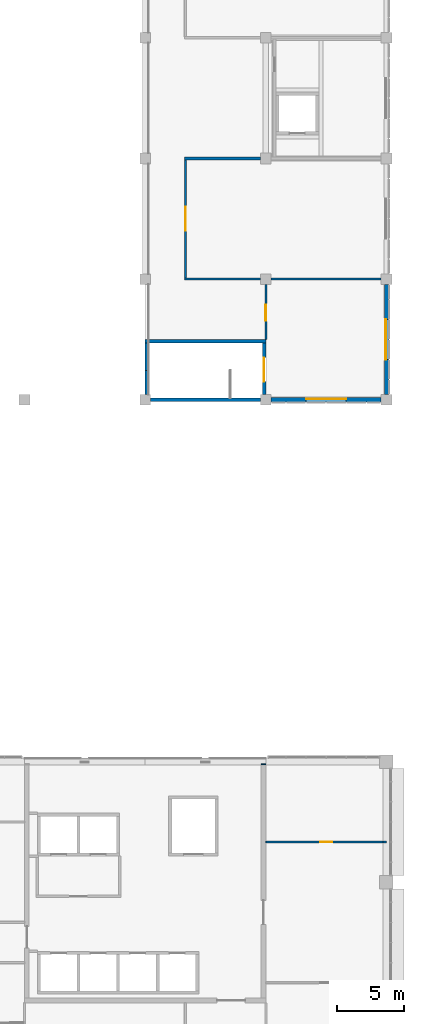
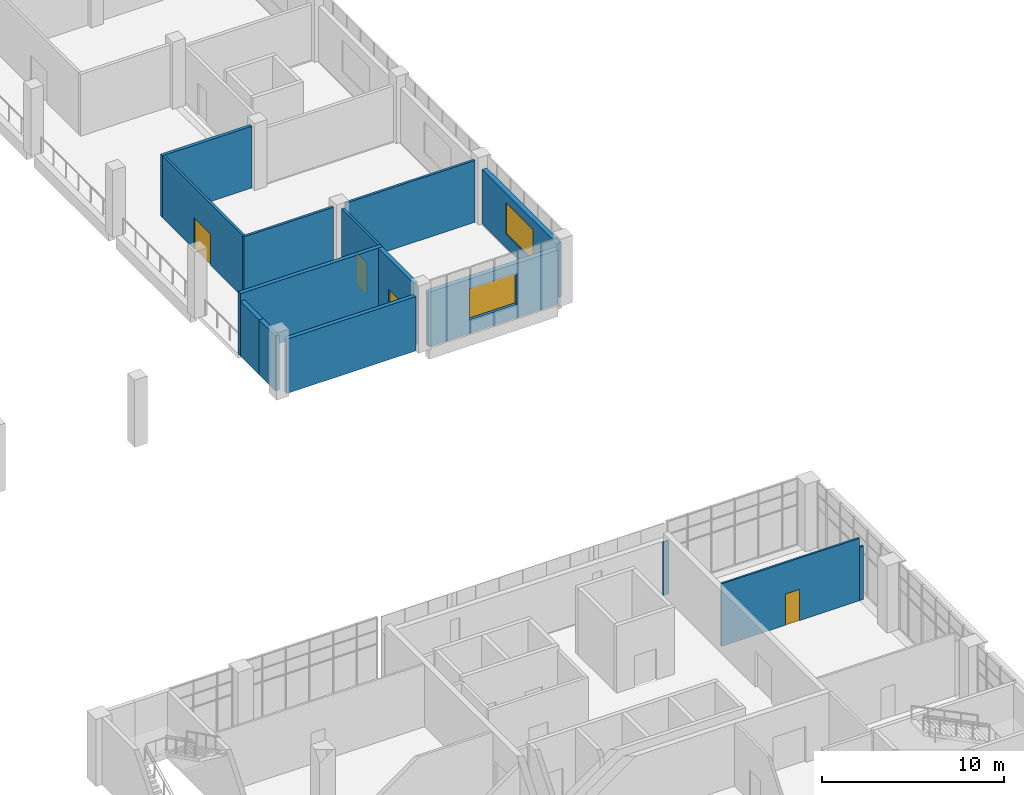
# One storey, part 66 of 88: 15 walls, 4 doors, 2 windows, 6 openings.
"""IFC4 building model written with IfcOpenShell, lengths in metres."""

from ifc_helpers import new_model, si_unit, direction, frame, frame_2d, origin, place, context, subcontext, project, spatial, rectangle, extrude, material, layer, layer_set, type_object, element, fill, save


model = new_model("IFC4")

# Units and contexts
model_context = context("Model", 3, precision=1e-05, world=origin(), true_north=direction((0.0, 1.0)))
body_context = subcontext(model_context, "Body", "Model", "MODEL_VIEW")
ifc_project = project(units=[si_unit("LENGTHUNIT", "METRE"), si_unit("AREAUNIT", "SQUARE_METRE"), si_unit("VOLUMEUNIT", "CUBIC_METRE"), si_unit("PLANEANGLEUNIT", "RADIAN"), si_unit("MASSUNIT", "GRAM", prefix="KILO")], contexts=[model_context])

# Site, building, storey
site_placement = place(None, origin())
site = spatial("IfcSite", under=ifc_project, at=site_placement, CompositionType="ELEMENT")
building_placement = place(site_placement, origin())
building = spatial("IfcBuilding", under=site, at=building_placement, Name="Guidao Yard Department Store", CompositionType="ELEMENT")
storey_placement = place(building_placement, frame((0.0, 0.0, 6.0)))
storey = spatial("IfcBuildingStorey", under=building, at=storey_placement, Name="L01", CompositionType="ELEMENT", Elevation=6.0)

# Wall
ifc_material_1 = material(Name="Concrete block MU10", Category="concrete")
ifc_layer_1 = layer(ifc_material_1, 0.199951171875)
ifc_layer_set_1 = layer_set([ifc_layer_1], Name="Fire Wall F3 200 mm blockwork EI 120")
wall_type_1 = type_object("IfcWallType", Name="Fire Wall F3 200 mm blockwork EI 120", PredefinedType="PARTITIONING", material=ifc_layer_set_1)
wall_1_placement = place(storey_placement, frame((155.925048828125, 72.0, 0.0), z_axis=(0.0, 0.0, 1.0), x_axis=(1.0, 0.0, 0.0)))
element("IfcWall", 1, at=wall_1_placement, inside=storey, type_object=wall_type_1, Name="Wall W-L01-3007", PredefinedType="PARTITIONING", context=body_context, shape_type="SweptSolid", body=[
    extrude(rectangle(XDim=5.675048828125, YDim=0.199951171875, at=frame_2d((2.83740234375, 0.0))), origin(), (0.0, 0.0, 1.0), 4.14990234375),
])

# Wall, opening, window
ifc_material_2 = material(Name="Concrete C30", Category="concrete")
ifc_layer_2 = layer(ifc_material_2, 0.300048828125)
ifc_layer_set_2 = layer_set([ifc_layer_2], Name="Food hall wall 300 C30")
wall_type_2 = type_object("IfcWallType", Name="Food hall wall 300 C30", PredefinedType="SOLIDWALL", material=ifc_layer_set_2)
wall_2_placement = place(storey_placement, frame((170.60009765625, 54.0, 0.0), z_axis=(0.0, 0.0, 1.0), x_axis=(-1.0, 0.0, 0.0)))
wall_2 = element("IfcWall", 2, at=wall_2_placement, inside=storey, type_object=wall_type_2, Name="Food hall wall", PredefinedType="SOLIDWALL", context=body_context, shape_type="SweptSolid", body=[
    extrude(rectangle(XDim=8.2001953125, YDim=0.300048828125, at=frame_2d((4.10009765625, 0.0))), origin(), (0.0, 0.0, 1.0), 3.64990234375),
])
opening_1_placement = place(wall_2_placement, frame((2.60009765625, 0.0, 0.89990234375)))
opening_1 = element("IfcOpeningElement", 3, at=opening_1_placement, cuts=wall_2, Name="Opening WN-L01-E24", PredefinedType="OPENING", context=body_context, shape_type="SweptSolid", body=[
    extrude(rectangle(XDim=3.0, YDim=2.10009765625, at=frame_2d((1.5, 1.050048828125))), frame((0.0, 0.159912109375, 0.0), z_axis=(0.0, -1.0, 0.0), x_axis=(1.0, 0.0, 0.0)), (0.0, 0.0, 1.0), 0.320068359375),
])
ifc_material_3 = material(Name="Laminated glass in aluminium frame", Category="aluminium")
window_type = type_object("IfcWindowType", Name="Punched window PW2 3000 x 2100 fixed", PartitioningType="SINGLE_PANEL", PredefinedType="WINDOW", material=ifc_material_3)
window_1_placement = place(opening_1_placement, origin())
window_1 = element("IfcWindow", 4, at=window_1_placement, inside=storey, type_object=window_type, Name="Punched window", OverallHeight=2.10009765625, OverallWidth=3.0, PartitioningType="SINGLE_PANEL", PredefinedType="WINDOW", context=body_context, shape_type="SweptSolid", body=[
    extrude(rectangle(XDim=3.0, YDim=2.10009765625, at=frame_2d((1.5, 1.050048828125))), frame((0.0, -0.030029296875, 0.0), z_axis=(0.0, -1.0, 0.0), x_axis=(1.0, 0.0, 0.0)), (0.0, 0.0, 1.0), 0.06005859375),
])
fill(opening_1, window_1)

wall_3_placement = place(storey_placement, frame((171.0, 62.60009765625, 0.0), z_axis=(0.0, 0.0, 1.0), x_axis=(0.0, -1.0, 0.0)))
wall_3 = element("IfcWall", 5, at=wall_3_placement, inside=storey, type_object=wall_type_2, Name="Food hall wall", PredefinedType="SOLIDWALL", context=body_context, shape_type="SweptSolid", body=[
    extrude(rectangle(XDim=8.2001953125, YDim=0.300048828125, at=frame_2d((4.10009765625, 0.0))), origin(), (0.0, 0.0, 1.0), 3.64990234375),
])
opening_2_placement = place(wall_3_placement, frame((2.60009765625, 0.0, 0.89990234375)))
opening_2 = element("IfcOpeningElement", 6, at=opening_2_placement, cuts=wall_3, Name="Opening WN-L01-E32", PredefinedType="OPENING", context=body_context, shape_type="SweptSolid", body=[
    extrude(rectangle(XDim=3.0, YDim=2.10009765625, at=frame_2d((1.5, 1.050048828125))), frame((0.0, 0.159912109375, 0.0), z_axis=(0.0, -1.0, 0.0), x_axis=(1.0, 0.0, 0.0)), (0.0, 0.0, 1.0), 0.320068359375),
])
window_2_placement = place(opening_2_placement, origin())
window_2 = element("IfcWindow", 7, at=window_2_placement, inside=storey, type_object=window_type, Name="Punched window", OverallHeight=2.10009765625, OverallWidth=3.0, PartitioningType="SINGLE_PANEL", PredefinedType="WINDOW", context=body_context, shape_type="SweptSolid", body=[
    extrude(rectangle(XDim=3.0, YDim=2.10009765625, at=frame_2d((1.5, 1.050048828125))), frame((0.0, -0.030029296875, 0.0), z_axis=(0.0, -1.0, 0.0), x_axis=(1.0, 0.0, 0.0)), (0.0, 0.0, 1.0), 0.06005859375),
])
fill(opening_2, window_2)

# Wall, opening, door
ifc_material_4 = material(Name="Gypsum Board")
ifc_layer_3 = layer(ifc_material_4, 0.1201171875)
ifc_layer_set_3 = layer_set([ifc_layer_3], Name="Partition 120 Gypsum Board EI 45")
wall_type_3 = type_object("IfcWallType", Name="Partition 120 Gypsum Board EI 45", PredefinedType="PARTITIONING", material=ifc_layer_set_3)
wall_4_placement = place(storey_placement, frame((162.0, 21.0, 0.0), z_axis=(0.0, 0.0, 1.0), x_axis=(1.0, 0.0, 0.0)))
wall_4 = element("IfcWall", 8, at=wall_4_placement, inside=storey, type_object=wall_type_3, Name="pt.wall.L01.0013", PredefinedType="PARTITIONING", context=body_context, shape_type="SweptSolid", body=[
    extrude(rectangle(XDim=8.75, YDim=0.1201171875, at=frame_2d((4.375, 0.0))), origin(), (0.0, 0.0, 1.0), 4.199951171875),
])
opening_3_placement = place(wall_4_placement, frame((4.050048828125, 0.0, 0.0)))
opening_3 = element("IfcOpeningElement", 9, at=opening_3_placement, cuts=wall_4, Name="Opening L01-417", PredefinedType="OPENING", context=body_context, shape_type="SweptSolid", body=[
    extrude(rectangle(XDim=0.89990234375, YDim=2.10009765625, at=frame_2d((0.449951171875, 1.050048828125))), frame((0.0, 0.070068359375, 0.0), z_axis=(0.0, -1.0, 0.0), x_axis=(1.0, 0.0, 0.0)), (0.0, 0.0, 1.0), 0.14013671875),
])
ifc_material_5 = material(Name="Timber door leaf with Steel Q235 frame", Category="steel")
door_type_1 = type_object("IfcDoorType", Name="Door 900 x 2100 NOT RATED Single Leaf", OperationType="SINGLE_SWING_LEFT", PredefinedType="DOOR", material=ifc_material_5)
door_1_placement = place(opening_3_placement, origin())
door_1 = element("IfcDoor", 10, at=door_1_placement, inside=storey, type_object=door_type_1, Name="Door L01-417", OperationType="SINGLE_SWING_RIGHT", OverallHeight=2.10009765625, OverallWidth=0.89990234375, PredefinedType="DOOR", context=body_context, shape_type="SweptSolid", body=[
    extrude(rectangle(XDim=0.89990234375, YDim=2.10009765625, at=frame_2d((0.449951171875, 1.050048828125))), frame((0.0, 0.02490234375, 0.0), z_axis=(0.0, -1.0, 0.0), x_axis=(1.0, 0.0, 0.0)), (0.0, 0.0, 1.0), 0.050048828125),
])
fill(opening_3, door_1)

# Walls
wall_5_placement = place(storey_placement, frame((170.75, 21.0, 0.0), z_axis=(0.0, 0.0, 1.0), x_axis=(1.0, 0.0, 0.0)))
element("IfcWall", 11, at=wall_5_placement, inside=storey, type_object=wall_type_3, Name="pt.wall.L01.0013a", PredefinedType="PARTITIONING", context=body_context, shape_type="SweptSolid", body=[
    extrude(rectangle(XDim=0.25, YDim=0.1201171875, at=frame_2d((0.125, 0.0))), origin(), (0.0, 0.0, 1.0), 3.60009765625),
])
ifc_material_6 = material(Name="Concrete C50", Category="concrete")
ifc_layer_4 = layer(ifc_material_6, 0.35009765625)
ifc_layer_set_4 = layer_set([ifc_layer_4], Name="Shear Wall 350 Concrete C50")
wall_type_4 = type_object("IfcWallType", Name="Shear Wall 350 Concrete C50", PredefinedType="SHEAR", material=ifc_layer_set_4)
wall_6_placement = place(storey_placement, frame((161.824951171875, 26.75, 0.0), z_axis=(0.0, 0.0, 1.0), x_axis=(0.0, 1.0, 0.0)))
element("IfcWall", 12, at=wall_6_placement, inside=storey, type_object=wall_type_4, Name="pt.wall.L01.0029a", PredefinedType="SHEAR", context=body_context, shape_type="SweptSolid", body=[
    extrude(rectangle(XDim=0.074951171875, YDim=0.35009765625, at=frame_2d((0.03759765625, 0.0))), origin(), (0.0, 0.0, 1.0), 3.60009765625),
])
ifc_material_7 = material(Name="Concrete block MU10", Category="concrete")
ifc_layer_5 = layer(ifc_material_7, 0.14990234375)
ifc_layer_set_5 = layer_set([ifc_layer_5], Name="Stall Front Wall F4 150 mm blockwork EI 60")
wall_type_5 = type_object("IfcWallType", Name="Stall Front Wall F4 150 mm blockwork EI 60", PredefinedType="PARTITIONING", material=ifc_layer_set_5)
wall_7_placement = place(storey_placement, frame((155.925048828125, 63.0, 0.0), z_axis=(0.0, 0.0, 1.0), x_axis=(1.0, 0.0, 0.0)))
element("IfcWall", 13, at=wall_7_placement, inside=storey, type_object=wall_type_5, Name="Wall W-L01-3004", PredefinedType="PARTITIONING", context=body_context, shape_type="SweptSolid", body=[
    extrude(rectangle(XDim=5.675048828125, YDim=0.14990234375, at=frame_2d((2.83740234375, 0.0))), origin(), (0.0, 0.0, 1.0), 4.14990234375),
])

# Wall, opening, door
wall_8_placement = place(storey_placement, frame((156.0, 63.074951171875, 0.0), z_axis=(0.0, 0.0, 1.0), x_axis=(0.0, 1.0, 0.0)))
wall_8 = element("IfcWall", 14, at=wall_8_placement, inside=storey, type_object=wall_type_5, Name="Wall W-L01-3006", PredefinedType="PARTITIONING", context=body_context, shape_type="SweptSolid", body=[
    extrude(rectangle(XDim=8.824951171875, YDim=0.14990234375, at=frame_2d((4.41259765625, 0.0))), origin(), (0.0, 0.0, 1.0), 4.14990234375),
])
opening_4_placement = place(wall_8_placement, frame((5.324951171875, 0.0, 0.0), z_axis=(0.0, 0.0, 1.0), x_axis=(-1.0, 0.0, 0.0)))
opening_4 = element("IfcOpeningElement", 15, at=opening_4_placement, cuts=wall_8, Name="Opening L01-304", PredefinedType="OPENING", context=body_context, shape_type="SweptSolid", body=[
    extrude(rectangle(XDim=1.800048828125, YDim=2.10009765625, at=frame_2d((0.89990234375, 1.050048828125))), frame((0.0, 0.0849609375, 0.0), z_axis=(0.0, -1.0, 0.0), x_axis=(1.0, 0.0, 0.0)), (0.0, 0.0, 1.0), 0.169921875),
])
ifc_material_8 = material(Name="Timber door leaf", Category="wood")
door_type_2 = type_object("IfcDoorType", Name="Door FN2 double 1800 x 2100", OperationType="DOUBLE_DOOR_SINGLE_SWING", PredefinedType="DOOR", material=ifc_material_8)
door_2_placement = place(opening_4_placement, origin())
door_2 = element("IfcDoor", 16, at=door_2_placement, inside=storey, type_object=door_type_2, Name="Door L01-304", OperationType="DOUBLE_DOOR_SINGLE_SWING", OverallHeight=2.10009765625, OverallWidth=1.800048828125, PredefinedType="DOOR", context=body_context, shape_type="SweptSolid", body=[
    extrude(rectangle(XDim=1.800048828125, YDim=2.10009765625, at=frame_2d((0.89990234375, 1.050048828125))), frame((0.0, 0.02490234375, 0.0), z_axis=(0.0, -1.0, 0.0), x_axis=(1.0, 0.0, 0.0)), (0.0, 0.0, 1.0), 0.050048828125),
])
fill(opening_4, door_2)

ifc_material_9 = material(Name="Concrete block MU10", Category="concrete")
ifc_layer_6 = layer(ifc_material_9, 0.14990234375)
ifc_layer_set_6 = layer_set([ifc_layer_6], Name="Wall F2 150 mm blockwork EI 60")
wall_type_6 = type_object("IfcWallType", Name="Wall F2 150 mm blockwork EI 60", PredefinedType="PARTITIONING", material=ifc_layer_set_6)
wall_9_placement = place(storey_placement, frame((162.0, 58.5, 0.0), z_axis=(0.0, 0.0, 1.0), x_axis=(0.0, 1.0, 0.0)))
wall_9 = element("IfcWall", 17, at=wall_9_placement, inside=storey, type_object=wall_type_6, Name="Wall W-L01-3002", PredefinedType="PARTITIONING", context=body_context, shape_type="SweptSolid", body=[
    extrude(rectangle(XDim=4.10009765625, YDim=0.14990234375, at=frame_2d((2.050048828125, 0.0))), origin(), (0.0, 0.0, 1.0), 4.14990234375),
])
opening_5_placement = place(wall_9_placement, frame((1.39990234375, 0.0, 0.0)))
opening_5 = element("IfcOpeningElement", 18, at=opening_5_placement, cuts=wall_9, Name="Opening L01-302", PredefinedType="OPENING", context=body_context, shape_type="SweptSolid", body=[
    extrude(rectangle(XDim=1.199951171875, YDim=2.10009765625, at=frame_2d((0.60009765625, 1.050048828125))), frame((0.0, 0.0849609375, 0.0), z_axis=(0.0, -1.0, 0.0), x_axis=(1.0, 0.0, 0.0)), (0.0, 0.0, 1.0), 0.169921875),
])
ifc_material_10 = material(Name="Steel Q235", Category="steel")
door_type_3 = type_object("IfcDoorType", Name="Door FF2 1200 x 2100 FD60", OperationType="SINGLE_SWING_LEFT", PredefinedType="DOOR", material=ifc_material_10)
door_3_placement = place(opening_5_placement, origin())
door_3 = element("IfcDoor", 19, at=door_3_placement, inside=storey, type_object=door_type_3, Name="Door L01-302", OperationType="SINGLE_SWING_LEFT", OverallHeight=2.10009765625, OverallWidth=1.199951171875, PredefinedType="DOOR", context=body_context, shape_type="SweptSolid", body=[
    extrude(rectangle(XDim=1.199951171875, YDim=2.10009765625, at=frame_2d((0.60009765625, 1.050048828125))), frame((0.0, 0.02490234375, 0.0), z_axis=(0.0, -1.0, 0.0), x_axis=(1.0, 0.0, 0.0)), (0.0, 0.0, 1.0), 0.050048828125),
])
fill(opening_5, door_3)

# Walls
wall_10_placement = place(storey_placement, frame((162.39990234375, 63.0, 0.0), z_axis=(0.0, 0.0, 1.0), x_axis=(1.0, 0.0, 0.0)))
element("IfcWall", 20, at=wall_10_placement, inside=storey, type_object=wall_type_6, Name="Wall W-L01-3005", PredefinedType="PARTITIONING", context=body_context, shape_type="SweptSolid", body=[
    extrude(rectangle(XDim=8.2001953125, YDim=0.14990234375, at=frame_2d((4.10009765625, 0.0))), origin(), (0.0, 0.0, 1.0), 4.14990234375),
])
ifc_material_11 = material(Name="Concrete C40", Category="concrete")
ifc_layer_7 = layer(ifc_material_11, 0.25)
ifc_layer_set_7 = layer_set([ifc_layer_7], Name="Wall RC 250 C40 stair and shaft")
wall_type_7 = type_object("IfcWallType", Name="Wall RC 250 C40 stair and shaft", PredefinedType="SHEAR", material=ifc_layer_set_7)
wall_11_placement = place(storey_placement, frame((153.39990234375, 54.0, 0.0), z_axis=(0.0, 0.0, 1.0), x_axis=(1.0, 0.0, 0.0)))
element("IfcWall", 21, at=wall_11_placement, inside=storey, type_object=wall_type_7, Name="Stair wall SF1", PredefinedType="SHEAR", context=body_context, shape_type="SweptSolid", body=[
    extrude(rectangle(XDim=8.2001953125, YDim=0.25, at=frame_2d((4.10009765625, 0.0))), origin(), (0.0, 0.0, 1.0), 3.64990234375),
])
wall_12_placement = place(storey_placement, frame((153.0, 58.375, 0.0), z_axis=(0.0, 0.0, 1.0), x_axis=(1.0, 0.0, 0.0)))
element("IfcWall", 22, at=wall_12_placement, inside=storey, type_object=wall_type_7, Name="Stair wall SF1", PredefinedType="SHEAR", context=body_context, shape_type="SweptSolid", body=[
    extrude(rectangle(XDim=9.0, YDim=0.25, at=frame_2d((4.5, 0.0))), origin(), (0.0, 0.0, 1.0), 4.199951171875),
])
wall_13_placement = place(storey_placement, frame((153.125, 54.39990234375, 0.0), z_axis=(0.0, 0.0, 1.0), x_axis=(0.0, 1.0, 0.0)))
element("IfcWall", 23, at=wall_13_placement, inside=storey, type_object=wall_type_7, Name="Stair wall SF1", PredefinedType="SHEAR", context=body_context, shape_type="SweptSolid", body=[
    extrude(rectangle(XDim=1.7880859375, YDim=0.25, at=frame_2d((0.89404296875, 0.0))), origin(), (0.0, 0.0, 1.0), 3.699951171875),
])
wall_14_placement = place(storey_placement, frame((153.125, 56.18798828125, 0.0), z_axis=(0.0, 0.0, 1.0), x_axis=(0.0, 1.0, 0.0)))
element("IfcWall", 24, at=wall_14_placement, inside=storey, type_object=wall_type_7, Name="Stair wall SF1", PredefinedType="SHEAR", context=body_context, shape_type="SweptSolid", body=[
    extrude(rectangle(XDim=2.06201171875, YDim=0.25, at=frame_2d((1.031005859375, 0.0))), origin(), (0.0, 0.0, 1.0), 3.699951171875),
])

# Wall, opening, door
wall_15_placement = place(storey_placement, frame((161.875, 54.39990234375, 0.0), z_axis=(0.0, 0.0, 1.0), x_axis=(0.0, 1.0, 0.0)))
wall_15 = element("IfcWall", 25, at=wall_15_placement, inside=storey, type_object=wall_type_7, Name="Stair wall SF1", PredefinedType="SHEAR", context=body_context, shape_type="SweptSolid", body=[
    extrude(rectangle(XDim=3.85009765625, YDim=0.25, at=frame_2d((1.925048828125, 0.0))), origin(), (0.0, 0.0, 1.0), 4.199951171875),
])
opening_6_placement = place(wall_15_placement, frame((0.949951171875, 0.0, 0.0)))
opening_6 = element("IfcOpeningElement", 26, at=opening_6_placement, cuts=wall_15, Name="Opening L01-808", PredefinedType="OPENING", context=body_context, shape_type="SweptSolid", body=[
    extrude(rectangle(XDim=1.800048828125, YDim=2.10009765625, at=frame_2d((0.89990234375, 1.050048828125))), frame((0.0, 0.135009765625, 0.0), z_axis=(0.0, -1.0, 0.0), x_axis=(1.0, 0.0, 0.0)), (0.0, 0.0, 1.0), 0.27001953125),
])
ifc_material_12 = material(Name="Steel Q235", Category="steel")
door_type_4 = type_object("IfcDoorType", Name="Door fire-resisting 1800 x 2100 FD60", OperationType="DOUBLE_DOOR_SINGLE_SWING", PredefinedType="DOOR", material=ifc_material_12)
door_4_placement = place(opening_6_placement, origin())
door_4 = element("IfcDoor", 27, at=door_4_placement, inside=storey, type_object=door_type_4, Name="Stair F1 door L01", OperationType="DOUBLE_DOOR_SINGLE_SWING", OverallHeight=2.10009765625, OverallWidth=1.800048828125, PredefinedType="DOOR", context=body_context, shape_type="SweptSolid", body=[
    extrude(rectangle(XDim=1.800048828125, YDim=2.10009765625, at=frame_2d((0.89990234375, 1.050048828125))), frame((0.0, 0.02490234375, 0.0), z_axis=(0.0, -1.0, 0.0), x_axis=(1.0, 0.0, 0.0)), (0.0, 0.0, 1.0), 0.050048828125),
])
fill(opening_6, door_4)

save(model, "model.ifc")
